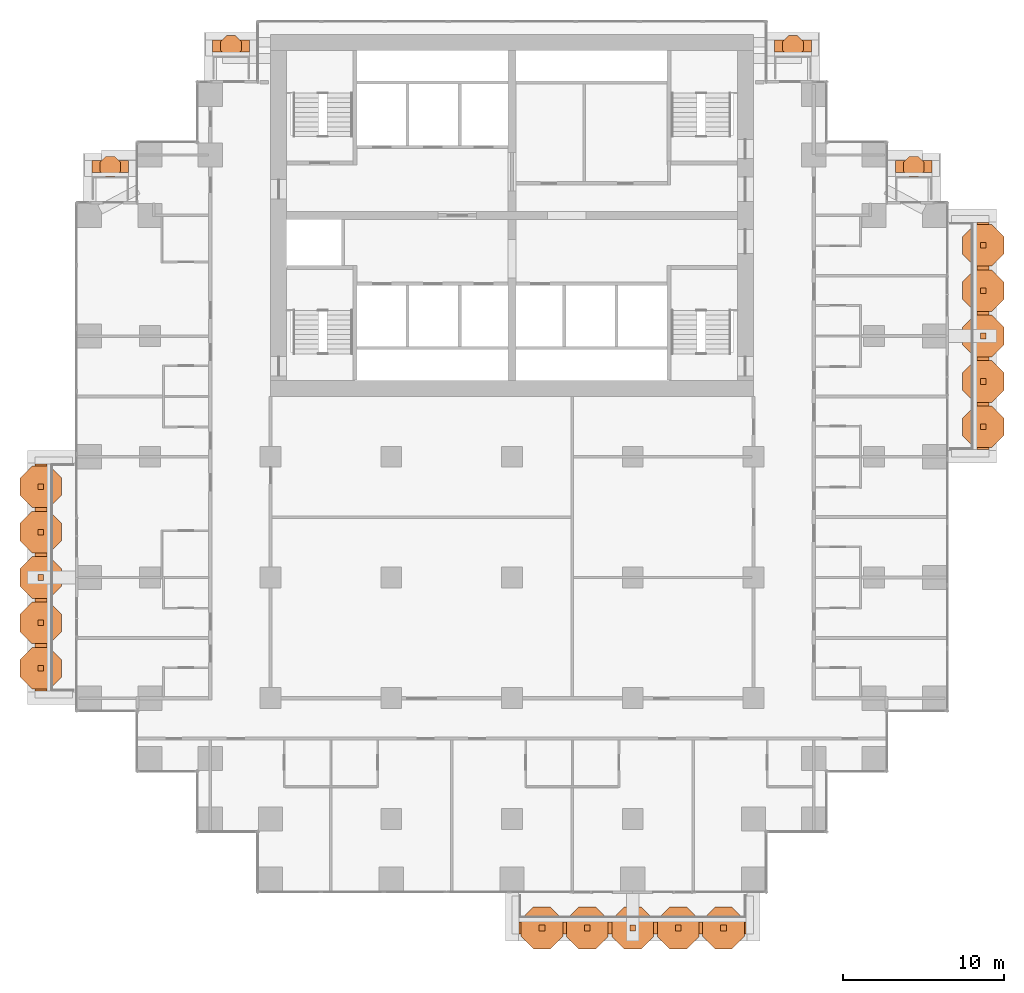
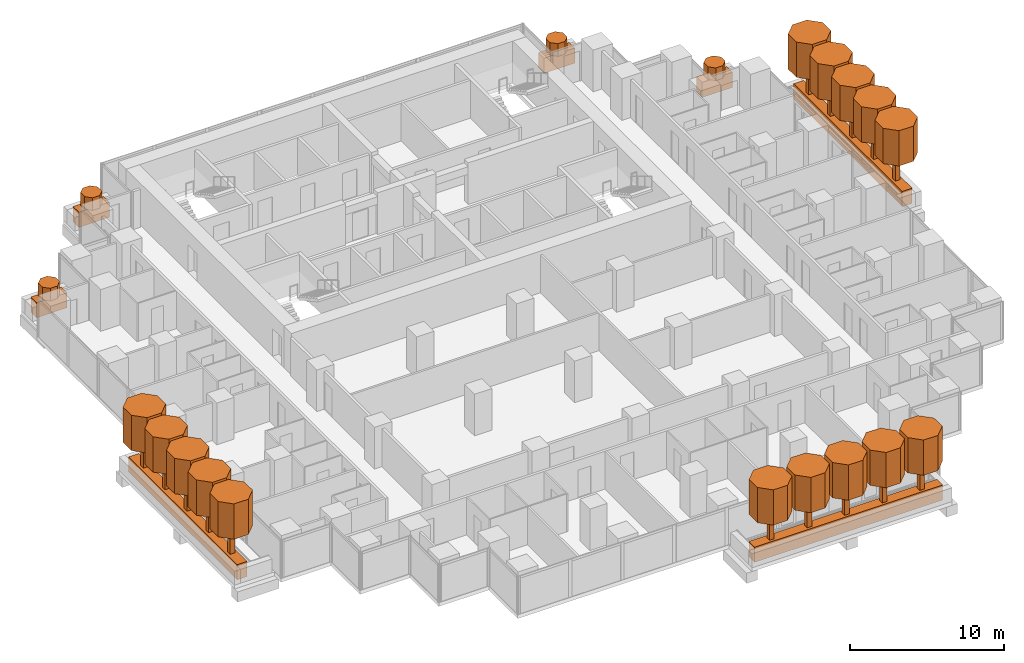
# One storey, part 19 of 19: 41 geographic elements.
"""IFC4 building model written with IfcOpenShell, lengths in metres."""

from ifc_helpers import new_model, si_unit, direction, frame, origin, origin_2d, place, context, subcontext, project, spatial, polyline, rectangle, outline, extrude, material, material_profile, profile_set, type_object, element, save


model = new_model("IFC4")

# Units and contexts
model_context = context("Model", 3, precision=1e-05, world=origin(), true_north=direction((0.0, 1.0)))
body_context = subcontext(model_context, "Body", "Model", "MODEL_VIEW")
ifc_project = project(units=[si_unit("LENGTHUNIT", "METRE"), si_unit("AREAUNIT", "SQUARE_METRE"), si_unit("VOLUMEUNIT", "CUBIC_METRE"), si_unit("PLANEANGLEUNIT", "RADIAN"), si_unit("MASSUNIT", "GRAM", prefix="KILO")], contexts=[model_context])

# Site, building, storey
site_placement = place(None, origin())
site = spatial("IfcSite", under=ifc_project, at=site_placement, CompositionType="ELEMENT")
building_placement = place(site_placement, origin())
building = spatial("IfcBuilding", under=site, at=building_placement, Name="Pilkhan Gate Tower", CompositionType="ELEMENT")
storey_placement = place(building_placement, frame((0.0, 0.0, 59.300048828125)))
storey = spatial("IfcBuildingStorey", under=building, at=storey_placement, Name="L12", CompositionType="ELEMENT", Elevation=59.300048828125)

# Geographic elements
ifc_material_1 = material(Name="Foliage")
ifc_material_profile_1 = material_profile(ifc_material_1, rectangle(XDim=0.75, YDim=1.199951171875, at=origin_2d()), Name="Bed 750x1200")
ifc_profile_set_1 = profile_set([ifc_material_profile_1], Name="Foliage")
geographic_element_type_1 = type_object("IfcGeographicElementType", Name="Planting bed PB1", PredefinedType="USERDEFINED", material=ifc_profile_set_1)
for number, where, z_axis, x_axis, name in (
    (1, (75.449951171875, 38.22509765625, 0.599853515625), (1.0, 0.0, 0.0), (0.0, 1.0, 0.0), "Balcony L12 S planting bed"),
    (2, (104.27490234375, 67.949951171875, 0.599853515625), (0.0, 1.0, 0.0), (-1.0, 0.0, 0.0), "Balcony L12 E planting bed"),
):
    element("IfcGeographicElement", number, at=place(storey_placement, frame(where, z_axis=z_axis, x_axis=x_axis)), inside=storey, type_object=geographic_element_type_1, Name=name, ObjectType="PLANTING BED", PredefinedType="USERDEFINED", context=body_context, shape_type="SweptSolid", body=[
        extrude(rectangle(XDim=0.75, YDim=1.199951171875, at=origin_2d()), origin(), (0.0, 0.0, 1.0), 14.10009765625),
    ])
for number, where, z_axis, x_axis, name in (
    (3, (56.39990234375, 93.02490234375, 0.599853515625), (1.0, 0.0, 0.0), (0.0, 1.0, 0.0), "Balcony L12 N planting bed"),
    (4, (91.300048828125, 93.02490234375, 0.599853515625), (1.0, 0.0, 0.0), (0.0, 1.0, 0.0), "Balcony L12 N planting bed"),
):
    element("IfcGeographicElement", number, at=place(storey_placement, frame(where, z_axis=z_axis, x_axis=x_axis)), inside=storey, type_object=geographic_element_type_1, Name=name, ObjectType="PLANTING BED", PredefinedType="USERDEFINED", context=body_context, shape_type="SweptSolid", body=[
        extrude(rectangle(XDim=0.75, YDim=1.199951171875, at=origin_2d()), origin(), (0.0, 0.0, 1.0), 2.300048828125),
    ])
for number, where, z_axis, x_axis, name in (
    (5, (48.89990234375, 85.52490234375, 0.599853515625), (1.0, 0.0, 0.0), (0.0, 1.0, 0.0), "Balcony L12 N planting bed"),
    (6, (98.820068359375, 85.52490234375, 0.599853515625), (1.0, 0.0, 0.0), (0.0, 1.0, 0.0), "Balcony L12 N planting bed"),
):
    element("IfcGeographicElement", number, at=place(storey_placement, frame(where, z_axis=z_axis, x_axis=x_axis)), inside=storey, type_object=geographic_element_type_1, Name=name, ObjectType="PLANTING BED", PredefinedType="USERDEFINED", context=body_context, shape_type="SweptSolid", body=[
        extrude(rectangle(XDim=0.75, YDim=1.199951171875, at=origin_2d()), origin(), (0.0, 0.0, 1.0), 2.280029296875),
    ])
geographic_element_placement = place(storey_placement, frame((45.72509765625, 52.949951171875, 0.599853515625), z_axis=(0.0, 1.0, 0.0), x_axis=(-1.0, 0.0, 0.0)))
element("IfcGeographicElement", 7, at=geographic_element_placement, inside=storey, type_object=geographic_element_type_1, Name="Balcony L12 W planting bed", ObjectType="PLANTING BED", PredefinedType="USERDEFINED", context=body_context, shape_type="SweptSolid", body=[
    extrude(rectangle(XDim=0.75, YDim=1.199951171875, at=origin_2d()), origin(), (0.0, 0.0, 1.0), 14.10009765625),
])
ifc_material_profile_2 = material_profile(ifc_material_1, outline(polyline([(0.646728515625, 0.267822265625), (0.267822265625, 0.646728515625), (-0.267822265625, 0.646728515625), (-0.646728515625, 0.267822265625), (-0.646728515625, -0.267822265625), (-0.267822265625, -0.646728515625), (0.267822265625, -0.646728515625), (0.646728515625, -0.267822265625), (0.646728515625, 0.267822265625)])), Name="Shrub D1.4")
ifc_profile_set_2 = profile_set([ifc_material_profile_2], Name="Foliage")
geographic_element_type_2 = type_object("IfcGeographicElementType", Name="Shrub SH07", PredefinedType="USERDEFINED", material=ifc_profile_set_2)
for number, where, z_axis, x_axis, name in (
    (8, (57.550048828125, 93.02490234375, 1.199951171875), (0.0, 0.0, 1.0), (1.0, 0.0, 0.0), "Shrub L12 N 1"),
    (9, (92.449951171875, 93.02490234375, 1.199951171875), (0.0, 0.0, 1.0), (1.0, 0.0, 0.0), "Shrub L12 N 1"),
    (10, (50.0400390625, 85.52490234375, 1.199951171875), (0.0, 0.0, 1.0), (1.0, 0.0, 0.0), "Shrub L12 N 1"),
    (11, (99.9599609375, 85.52490234375, 1.199951171875), (0.0, 0.0, 1.0), (1.0, 0.0, 0.0), "Shrub L12 N 1"),
):
    element("IfcGeographicElement", number, at=place(storey_placement, frame(where, z_axis=z_axis, x_axis=x_axis)), inside=storey, type_object=geographic_element_type_2, Name=name, ObjectType="SHRUB", PredefinedType="USERDEFINED", context=body_context, shape_type="SweptSolid", body=[
        extrude(outline(polyline([(0.646728515625, 0.267822265625), (0.267822265625, 0.646728515625), (-0.267822265625, 0.646728515625), (-0.646728515625, 0.267822265625), (-0.646728515625, -0.267822265625), (-0.267822265625, -0.646728515625), (0.267822265625, -0.646728515625), (0.646728515625, -0.267822265625), (0.646728515625, 0.267822265625)])), origin(), (0.0, 0.0, 1.0), 1.0),
    ])
ifc_material_profile_3 = material_profile(ifc_material_1, outline(polyline([(1.29345703125, 0.535888671875), (0.535888671875, 1.29345703125), (-0.535888671875, 1.29345703125), (-1.29345703125, 0.535888671875), (-1.29345703125, -0.535888671875), (-0.535888671875, -1.29345703125), (0.535888671875, -1.29345703125), (1.29345703125, -0.535888671875), (1.29345703125, 0.535888671875)])), Name="Canopy D2.8")
ifc_profile_set_3 = profile_set([ifc_material_profile_3], Name="Foliage")
geographic_element_type_3 = type_object("IfcGeographicElementType", Name="Tree canopy TC14", PredefinedType="USERDEFINED", material=ifc_profile_set_3)
for number, where, z_axis, x_axis, name in (
    (12, (76.860107421875, 38.22509765625, 3.199951171875), (0.0, 0.0, 1.0), (1.0, 0.0, 0.0), "Tree L12 S 1 canopy"),
    (13, (79.679931640625, 38.22509765625, 3.199951171875), (0.0, 0.0, 1.0), (1.0, 0.0, 0.0), "Tree L12 S 2 canopy"),
    (14, (82.5, 38.22509765625, 3.199951171875), (0.0, 0.0, 1.0), (1.0, 0.0, 0.0), "Tree L12 S 3 canopy"),
    (15, (85.320068359375, 38.22509765625, 3.199951171875), (0.0, 0.0, 1.0), (1.0, 0.0, 0.0), "Tree L12 S 4 canopy"),
    (16, (88.139892578125, 38.22509765625, 3.199951171875), (0.0, 0.0, 1.0), (1.0, 0.0, 0.0), "Tree L12 S 5 canopy"),
    (17, (104.27490234375, 69.360107421875, 3.199951171875), (0.0, 0.0, 1.0), (1.0, 0.0, 0.0), "Tree L12 E 1 canopy"),
    (18, (104.27490234375, 72.179931640625, 3.199951171875), (0.0, 0.0, 1.0), (1.0, 0.0, 0.0), "Tree L12 E 2 canopy"),
    (19, (104.27490234375, 75.0, 3.199951171875), (0.0, 0.0, 1.0), (1.0, 0.0, 0.0), "Tree L12 E 3 canopy"),
    (20, (104.27490234375, 77.820068359375, 3.199951171875), (0.0, 0.0, 1.0), (1.0, 0.0, 0.0), "Tree L12 E 4 canopy"),
    (21, (104.27490234375, 80.639892578125, 3.199951171875), (0.0, 0.0, 1.0), (1.0, 0.0, 0.0), "Tree L12 E 5 canopy"),
    (22, (45.72509765625, 54.360107421875, 3.199951171875), (0.0, 0.0, 1.0), (1.0, 0.0, 0.0), "Tree L12 W 1 canopy"),
    (23, (45.72509765625, 57.179931640625, 3.199951171875), (0.0, 0.0, 1.0), (1.0, 0.0, 0.0), "Tree L12 W 2 canopy"),
    (24, (45.72509765625, 60.0, 3.199951171875), (0.0, 0.0, 1.0), (1.0, 0.0, 0.0), "Tree L12 W 3 canopy"),
    (25, (45.72509765625, 62.820068359375, 3.199951171875), (0.0, 0.0, 1.0), (1.0, 0.0, 0.0), "Tree L12 W 4 canopy"),
    (26, (45.72509765625, 65.639892578125, 3.199951171875), (0.0, 0.0, 1.0), (1.0, 0.0, 0.0), "Tree L12 W 5 canopy"),
):
    element("IfcGeographicElement", number, at=place(storey_placement, frame(where, z_axis=z_axis, x_axis=x_axis)), inside=storey, type_object=geographic_element_type_3, Name=name, ObjectType="TREE", PredefinedType="USERDEFINED", context=body_context, shape_type="SweptSolid", body=[
        extrude(outline(polyline([(1.29345703125, 0.535888671875), (0.535888671875, 1.29345703125), (-0.535888671875, 1.29345703125), (-1.29345703125, 0.535888671875), (-1.29345703125, -0.535888671875), (-0.535888671875, -1.29345703125), (0.535888671875, -1.29345703125), (1.29345703125, -0.535888671875), (1.29345703125, 0.535888671875)])), origin(), (0.0, 0.0, 1.0), 2.800048828125),
    ])
ifc_material_2 = material(Name="Timber trunk", Category="wood")
geographic_element_type_4 = type_object("IfcGeographicElementType", Name="Tree trunk TT1", PredefinedType="USERDEFINED", material=ifc_material_2)
for number, where, z_axis, x_axis, name in (
    (27, (76.860107421875, 38.22509765625, 1.199951171875), (0.0, 0.0, 1.0), (1.0, 0.0, 0.0), "Tree L12 S 1 trunk"),
    (28, (79.679931640625, 38.22509765625, 1.199951171875), (0.0, 0.0, 1.0), (1.0, 0.0, 0.0), "Tree L12 S 2 trunk"),
    (29, (82.5, 38.22509765625, 1.199951171875), (0.0, 0.0, 1.0), (1.0, 0.0, 0.0), "Tree L12 S 3 trunk"),
    (30, (85.320068359375, 38.22509765625, 1.199951171875), (0.0, 0.0, 1.0), (1.0, 0.0, 0.0), "Tree L12 S 4 trunk"),
    (31, (88.139892578125, 38.22509765625, 1.199951171875), (0.0, 0.0, 1.0), (1.0, 0.0, 0.0), "Tree L12 S 5 trunk"),
    (32, (104.27490234375, 69.360107421875, 1.199951171875), (0.0, 0.0, 1.0), (1.0, 0.0, 0.0), "Tree L12 E 1 trunk"),
    (33, (104.27490234375, 72.179931640625, 1.199951171875), (0.0, 0.0, 1.0), (1.0, 0.0, 0.0), "Tree L12 E 2 trunk"),
    (34, (104.27490234375, 75.0, 1.199951171875), (0.0, 0.0, 1.0), (1.0, 0.0, 0.0), "Tree L12 E 3 trunk"),
    (35, (104.27490234375, 77.820068359375, 1.199951171875), (0.0, 0.0, 1.0), (1.0, 0.0, 0.0), "Tree L12 E 4 trunk"),
    (36, (104.27490234375, 80.639892578125, 1.199951171875), (0.0, 0.0, 1.0), (1.0, 0.0, 0.0), "Tree L12 E 5 trunk"),
    (37, (45.72509765625, 54.360107421875, 1.199951171875), (0.0, 0.0, 1.0), (1.0, 0.0, 0.0), "Tree L12 W 1 trunk"),
    (38, (45.72509765625, 57.179931640625, 1.199951171875), (0.0, 0.0, 1.0), (1.0, 0.0, 0.0), "Tree L12 W 2 trunk"),
    (39, (45.72509765625, 60.0, 1.199951171875), (0.0, 0.0, 1.0), (1.0, 0.0, 0.0), "Tree L12 W 3 trunk"),
    (40, (45.72509765625, 62.820068359375, 1.199951171875), (0.0, 0.0, 1.0), (1.0, 0.0, 0.0), "Tree L12 W 4 trunk"),
    (41, (45.72509765625, 65.639892578125, 1.199951171875), (0.0, 0.0, 1.0), (1.0, 0.0, 0.0), "Tree L12 W 5 trunk"),
):
    element("IfcGeographicElement", number, at=place(storey_placement, frame(where, z_axis=z_axis, x_axis=x_axis)), inside=storey, type_object=geographic_element_type_4, Name=name, ObjectType="TREE", PredefinedType="USERDEFINED", context=body_context, shape_type="SweptSolid", body=[
        extrude(rectangle(XDim=0.35009765625, YDim=0.35009765625, at=origin_2d()), origin(), (0.0, 0.0, 1.0), 2.0),
    ])

save(model, "model.ifc")
